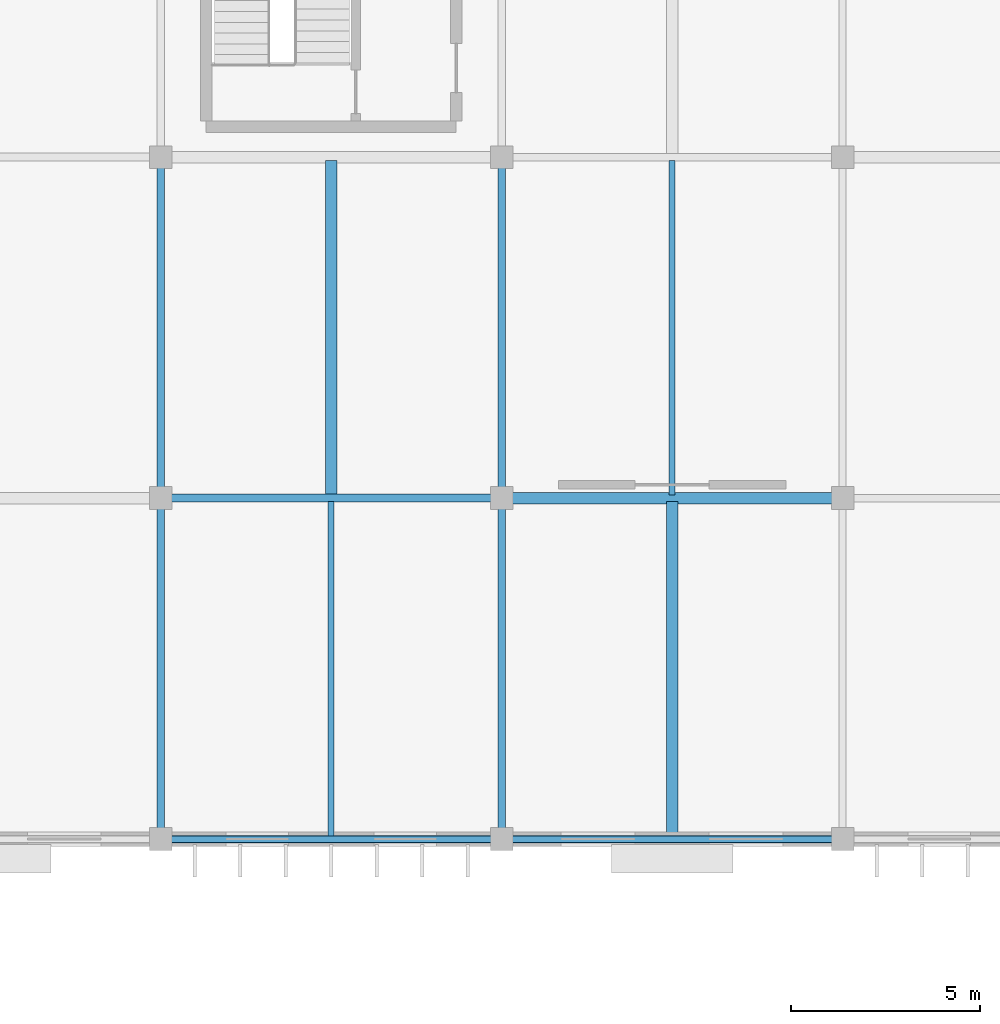
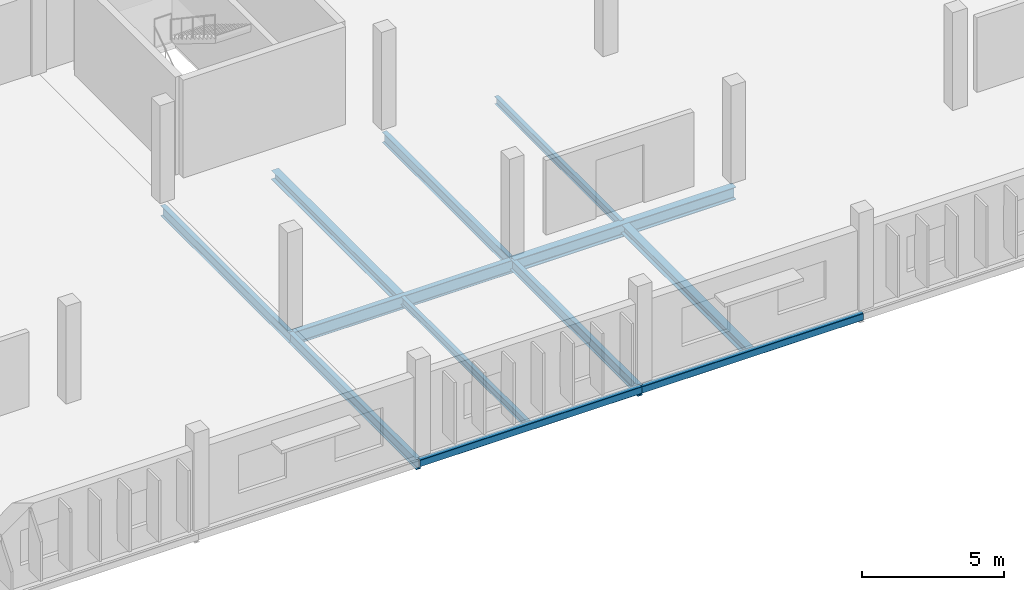
# One storey, part 102 of 161: 12 beams.
"""IFC4 building model written with IfcOpenShell, lengths in metres."""

from ifc_helpers import new_model, si_unit, direction, frame, origin, origin_2d, place, context, subcontext, project, spatial, hollow_rectangle, i_section, extrude, material, material_profile, profile_set, type_object, element, save


model = new_model("IFC4")

# Units and contexts
model_context = context("Model", 3, precision=1e-05, world=origin(), true_north=direction((0.0, 1.0)))
body_context = subcontext(model_context, "Body", "Model", "MODEL_VIEW")
ifc_project = project(units=[si_unit("LENGTHUNIT", "METRE"), si_unit("AREAUNIT", "SQUARE_METRE"), si_unit("VOLUMEUNIT", "CUBIC_METRE"), si_unit("PLANEANGLEUNIT", "RADIAN"), si_unit("MASSUNIT", "GRAM", prefix="KILO")], contexts=[model_context])

# Site, building, storey
site_placement = place(None, origin())
site = spatial("IfcSite", under=ifc_project, at=site_placement, CompositionType="ELEMENT")
building_placement = place(site_placement, origin())
building = spatial("IfcBuilding", under=site, at=building_placement, Name="Kildeholm Park Wholesale Market", CompositionType="ELEMENT")
storey_placement = place(building_placement, frame((0.0, 0.0, 5.39990234375)))
storey = spatial("IfcBuildingStorey", under=building, at=storey_placement, Name="L01", CompositionType="ELEMENT", Elevation=5.39990234375)

# Beams
ifc_material = material(Name="Steel S355", Category="steel")
ifc_material_profile_1 = material_profile(ifc_material, i_section(OverallWidth=0.18994140625, OverallDepth=0.449951171875, WebThickness=0.009521484375, FlangeThickness=0.0146484375, FilletRadius=0.02099609375, at=origin_2d()), Name="IPE 450")
ifc_profile_set_1 = profile_set([ifc_material_profile_1], Name="Steel S355")
beam_type_1 = type_object("IfcBeamType", Name="Beam B-P02 IPE 450", PredefinedType="BEAM", material=ifc_profile_set_1)
for number, where, z_axis, x_axis, name in (
    (1, (144.0, 144.0, -0.544921875), (0.0, 1.0, 0.0), (-1.0, 0.0, 0.0), "Beam BM-V4-L01-Y-144-144 BM-0640"),
    (2, (144.0, 153.0, -0.544921875), (0.0, 1.0, 0.0), (-1.0, 0.0, 0.0), "Beam BM-V4-L01-Y-144-153 BM-0643"),
    (3, (153.0, 144.0, -0.544921875), (0.0, 1.0, 0.0), (-1.0, 0.0, 0.0), "Beam BM-V4-L01-Y-153-144 BM-0649"),
    (4, (153.0, 153.0, -0.544921875), (0.0, 1.0, 0.0), (-1.0, 0.0, 0.0), "Beam BM-V4-L01-Y-153-153 BM-0652"),
):
    element("IfcBeam", number, at=place(storey_placement, frame(where, z_axis=z_axis, x_axis=x_axis)), inside=storey, type_object=beam_type_1, Name=name, PredefinedType="BEAM", context=body_context, shape_type="SweptSolid", body=[
        extrude(i_section(OverallWidth=0.18994140625, OverallDepth=0.449951171875, WebThickness=0.009521484375, FlangeThickness=0.0146484375, FilletRadius=0.02099609375, at=origin_2d()), origin(), (0.0, 0.0, 1.0), 9.0),
    ])
ifc_material_profile_2 = material_profile(ifc_material, i_section(OverallWidth=0.2099609375, OverallDepth=0.550048828125, WebThickness=0.010986328125, FlangeThickness=0.01708984375, FilletRadius=0.02392578125, at=origin_2d()), Name="IPE 550")
ifc_profile_set_2 = profile_set([ifc_material_profile_2], Name="Steel S355")
beam_type_2 = type_object("IfcBeamType", Name="Beam B-X01 IPE 550", PredefinedType="BEAM", material=ifc_profile_set_2)
beam_1_placement = place(storey_placement, frame((144.0, 153.0, -0.594970703125), z_axis=(1.0, 0.0, 0.0), x_axis=(0.0, 1.0, 0.0)))
element("IfcBeam", 5, at=beam_1_placement, inside=storey, type_object=beam_type_2, Name="Beam BM-V4-L01-X-144-153 BM-0642", PredefinedType="BEAM", context=body_context, shape_type="SweptSolid", body=[
    extrude(i_section(OverallWidth=0.2099609375, OverallDepth=0.550048828125, WebThickness=0.010986328125, FlangeThickness=0.01708984375, FilletRadius=0.02392578125, at=origin_2d()), origin(), (0.0, 0.0, 1.0), 9.0),
])
ifc_material_profile_3 = material_profile(ifc_material, i_section(OverallWidth=0.300048828125, OverallDepth=0.5400390625, WebThickness=0.012451171875, FlangeThickness=0.02392578125, FilletRadius=0.027099609375, at=origin_2d()), Name="HEA 550")
ifc_profile_set_3 = profile_set([ifc_material_profile_3], Name="Steel S355")
beam_type_3 = type_object("IfcBeamType", Name="Beam B-X02 HEA 550", PredefinedType="BEAM", material=ifc_profile_set_3)
beam_2_placement = place(storey_placement, frame((153.0, 153.0, -0.58984375), z_axis=(1.0, 0.0, 0.0), x_axis=(0.0, 1.0, 0.0)))
element("IfcBeam", 6, at=beam_2_placement, inside=storey, type_object=beam_type_3, Name="Beam BM-V4-L01-X-153-153 BM-0651", PredefinedType="BEAM", context=body_context, shape_type="SweptSolid", body=[
    extrude(i_section(OverallWidth=0.300048828125, OverallDepth=0.5400390625, WebThickness=0.012451171875, FlangeThickness=0.02392578125, FilletRadius=0.027099609375, at=origin_2d()), origin(), (0.0, 0.0, 1.0), 9.0),
])
ifc_material_profile_4 = material_profile(ifc_material, i_section(OverallWidth=0.159912109375, OverallDepth=0.330078125, WebThickness=0.007568359375, FlangeThickness=0.011474609375, FilletRadius=0.01806640625, at=origin_2d()), Name="IPE 330")
ifc_profile_set_4 = profile_set([ifc_material_profile_4], Name="Steel S355")
beam_type_4 = type_object("IfcBeamType", Name="Beam J-03 IPE 330", PredefinedType="JOIST", material=ifc_profile_set_4)
for number, where, z_axis, x_axis, name in (
    (7, (148.5, 144.0849609375, -0.48486328125), (0.0, 1.0, 0.0), (-1.0, 0.0, 0.0), "Beam JT-V4-L01-144-144 BM-0641"),
    (8, (157.5, 153.0849609375, -0.48486328125), (0.0, 1.0, 0.0), (-1.0, 0.0, 0.0), "Beam JT-V4-L01-153-153 BM-0653"),
):
    element("IfcBeam", number, at=place(storey_placement, frame(where, z_axis=z_axis, x_axis=x_axis)), inside=storey, type_object=beam_type_4, Name=name, PredefinedType="JOIST", context=body_context, shape_type="SweptSolid", body=[
        extrude(i_section(OverallWidth=0.159912109375, OverallDepth=0.330078125, WebThickness=0.007568359375, FlangeThickness=0.011474609375, FilletRadius=0.01806640625, at=origin_2d()), origin(), (0.0, 0.0, 1.0), 8.830078125),
    ])
ifc_material_profile_5 = material_profile(ifc_material, i_section(OverallWidth=0.300048828125, OverallDepth=0.389892578125, WebThickness=0.010986328125, FlangeThickness=0.01904296875, FilletRadius=0.027099609375, at=origin_2d()), Name="HEA 400")
ifc_profile_set_5 = profile_set([ifc_material_profile_5], Name="Steel S355")
beam_type_5 = type_object("IfcBeamType", Name="Beam J-06 HEA 400", PredefinedType="JOIST", material=ifc_profile_set_5)
for number, where, z_axis, x_axis, name in (
    (9, (148.5, 153.0849609375, -0.514892578125), (0.0, 1.0, 0.0), (-1.0, 0.0, 0.0), "Beam JT-V4-L01-144-153 BM-0644"),
    (10, (157.5, 144.0849609375, -0.514892578125), (0.0, 1.0, 0.0), (-1.0, 0.0, 0.0), "Beam JT-V4-L01-153-144 BM-0650"),
):
    element("IfcBeam", number, at=place(storey_placement, frame(where, z_axis=z_axis, x_axis=x_axis)), inside=storey, type_object=beam_type_5, Name=name, PredefinedType="JOIST", context=body_context, shape_type="SweptSolid", body=[
        extrude(i_section(OverallWidth=0.300048828125, OverallDepth=0.389892578125, WebThickness=0.010986328125, FlangeThickness=0.01904296875, FilletRadius=0.027099609375, at=origin_2d()), origin(), (0.0, 0.0, 1.0), 8.830078125),
    ])
ifc_material_profile_6 = material_profile(ifc_material, hollow_rectangle(XDim=0.199951171875, YDim=0.300048828125, WallThickness=0.012451171875, InnerFilletRadius=0.012451171875, OuterFilletRadius=0.02490234375, at=origin_2d()), Name="RHS 300x200x12.5")
ifc_profile_set_6 = profile_set([ifc_material_profile_6], Name="Steel S355")
beam_type_6 = type_object("IfcBeamType", Name="Beam SP-01 RHS 300x200x12.5", PredefinedType="SPANDREL", material=ifc_profile_set_6)
for number, where, z_axis, x_axis, name in (
    (11, (144.0, 144.0, -0.469970703125), (1.0, 0.0, 0.0), (0.0, 1.0, 0.0), "Beam BM-V4-L01-X-144-144 BM-0639"),
    (12, (153.0, 144.0, -0.469970703125), (1.0, 0.0, 0.0), (0.0, 1.0, 0.0), "Beam BM-V4-L01-X-153-144 BM-0648"),
):
    element("IfcBeam", number, at=place(storey_placement, frame(where, z_axis=z_axis, x_axis=x_axis)), inside=storey, type_object=beam_type_6, Name=name, PredefinedType="SPANDREL", context=body_context, shape_type="SweptSolid", body=[
        extrude(hollow_rectangle(XDim=0.199951171875, YDim=0.300048828125, WallThickness=0.012451171875, InnerFilletRadius=0.012451171875, OuterFilletRadius=0.02490234375, at=origin_2d()), origin(), (0.0, 0.0, 1.0), 9.0),
    ])

save(model, "model.ifc")
